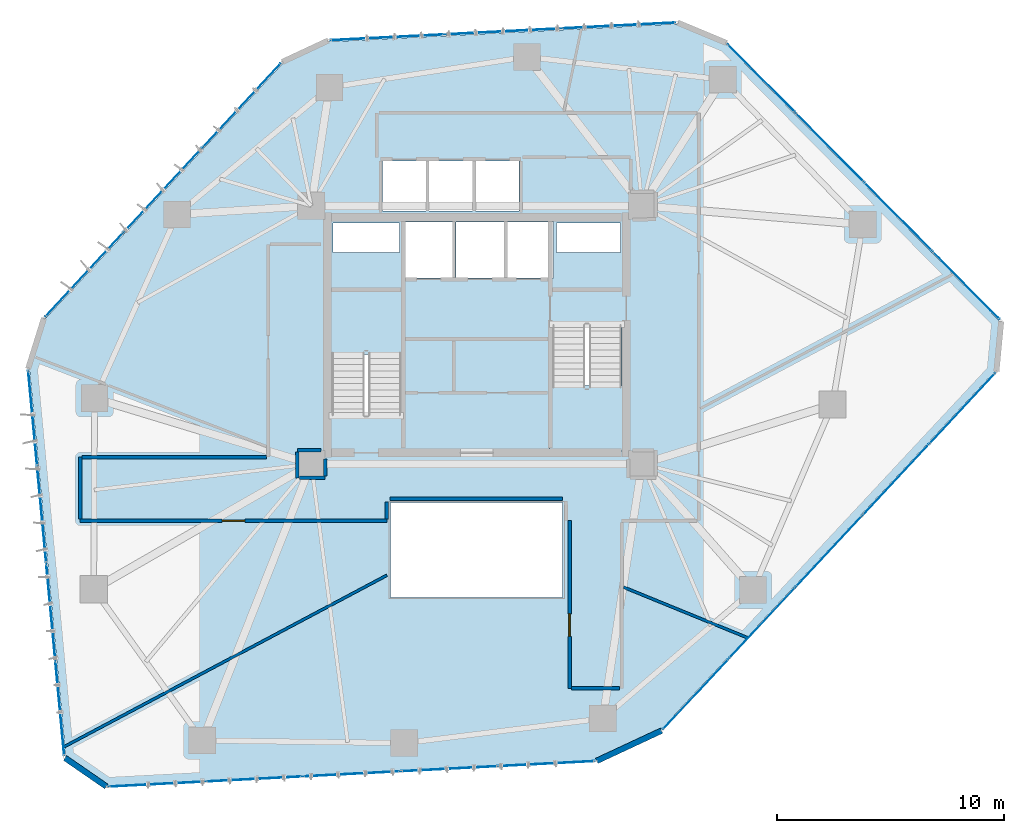
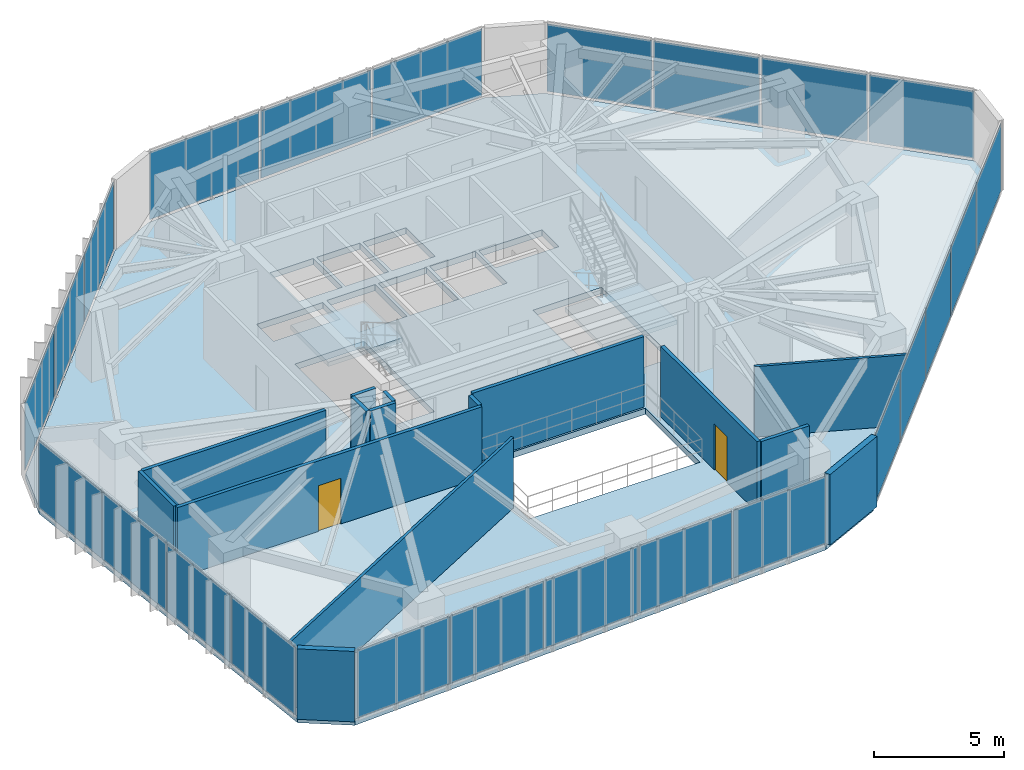
# One storey, part 18 of 23: 24 plates, 15 walls, 3 slabs, 2 doors, 2 openings, 8 elements without a shape of their own.
"""IFC4 building model written with IfcOpenShell, lengths in metres."""

from ifc_helpers import new_model, si_unit, direction, frame, frame_2d, origin, origin_2d, place, context, subcontext, project, spatial, polyline, rectangle, outline, extrude, source, transform, mapped, material, layer, layer_set, type_object, type_shapes, element, fill, aggregate, save


model = new_model("IFC4")

# Units and contexts
model_context = context("Model", 3, precision=1e-05, world=origin(), true_north=direction((0.0, 1.0)))
body_context = subcontext(model_context, "Body", "Model", "MODEL_VIEW")
ifc_project = project(units=[si_unit("LENGTHUNIT", "METRE"), si_unit("AREAUNIT", "SQUARE_METRE"), si_unit("VOLUMEUNIT", "CUBIC_METRE"), si_unit("PLANEANGLEUNIT", "RADIAN"), si_unit("MASSUNIT", "GRAM", prefix="KILO")], contexts=[model_context])

# Site, building, storey
site_placement = place(None, origin())
site = spatial("IfcSite", under=ifc_project, at=site_placement, CompositionType="ELEMENT")
building_placement = place(site_placement, origin())
building = spatial("IfcBuilding", under=site, at=building_placement, Name="Talar Marvaseh", CompositionType="ELEMENT")
storey_placement = place(building_placement, frame((0.0, 0.0, 100.199951171875)))
storey = spatial("IfcBuildingStorey", under=building, at=storey_placement, Name="L25", CompositionType="ELEMENT", Elevation=100.199951171875)

# Stair, slab
ifc_material_1 = material(Name="Concrete C40/50", Category="concrete")
stair_type = type_object("IfcStairType", Name="Reinforced Concrete Half-Turn Exit Stair Type B", PredefinedType="HALF_TURN_STAIR", material=ifc_material_1)
stair_1_placement = place(storey_placement, origin())
stair_1 = element("IfcStair", 1, at=stair_1_placement, inside=storey, type_object=stair_type, Name="L25 Tower West Core Exit Stair", PredefinedType="HALF_TURN_STAIR")
ifc_layer_1 = layer(ifc_material_1, 0.199951171875)
ifc_layer_set_1 = layer_set([ifc_layer_1], Name="Concrete C40/50")
slab_type_1 = type_object("IfcSlabType", Name="Reinforced Concrete Stair Half-Landing Slab 200", PredefinedType="LANDING", material=ifc_layer_set_1)
slab_1_placement = place(storey_placement, frame((0.0, 0.0, 1.60009765625)))
slab_1 = element("IfcSlab", 2, at=slab_1_placement, type_object=slab_type_1, Name="ST-1 landing 1", PredefinedType="LANDING", context=body_context, shape_type="SweptSolid", body=[
    extrude(outline(polyline([(22.780029296875, 30.330078125), (22.780029296875, 33.219970703125), (19.47998046875, 33.219970703125), (19.47998046875, 30.330078125), (22.780029296875, 30.330078125)])), origin(), (0.0, 0.0, 1.0), 0.199951171875),
])
aggregate(stair_1, [slab_1])

stair_2_placement = place(storey_placement, origin())
stair_2 = element("IfcStair", 3, at=stair_2_placement, inside=storey, type_object=stair_type, Name="L25 Tower East Core Exit Stair", PredefinedType="HALF_TURN_STAIR")
slab_2_placement = place(storey_placement, frame((0.0, 0.0, 1.60009765625)))
slab_2 = element("IfcSlab", 4, at=slab_2_placement, type_object=slab_type_1, Name="ST-2 landing 1", PredefinedType="LANDING", context=body_context, shape_type="SweptSolid", body=[
    extrude(outline(polyline([(29.219970703125, 28.969970703125), (29.219970703125, 26.080078125), (32.52001953125, 26.080078125), (32.52001953125, 28.969970703125), (29.219970703125, 28.969970703125)])), origin(), (0.0, 0.0, 1.0), 0.199951171875),
])
aggregate(stair_2, [slab_2])

# Slab
ifc_layer_2 = layer(ifc_material_1, 0.2900390625)
ifc_layer_set_2 = layer_set([ifc_layer_2], Name="Concrete C40/50")
slab_type_2 = type_object("IfcSlabType", Name="Structural Suspended Floor Slab 290", PredefinedType="FLOOR", material=ifc_layer_set_2)
slab_3_placement = place(storey_placement, frame((0.0, 0.0, -0.2900390625)))
element("IfcSlab", 5, at=slab_3_placement, inside=storey, type_object=slab_type_2, Name="L25 Tower Floor Slab", PredefinedType="FLOOR", context=body_context, shape_type="SweptSolid", body=[
    extrude(outline(polyline([(9.689453125, 11.31494140625), (7.864501953125, 12.57275390625), (6.2626953125, 29.689697265625), (6.961669921875, 31.923583984375), (17.4443359375, 43.191650390625), (19.47900390625, 44.140380859375), (34.84912109375, 44.927734375), (37.009521484375, 44.027099609375), (49.09228515625, 31.797607421875), (48.882568359375, 29.591064453125), (34.136962890625, 13.783203125), (31.27734375, 12.44970703125), (9.689453125, 11.31494140625)]), holes=[polyline([(22.659912109375, 27.64990234375), (22.659912109375, 33.10009765625), (19.60009765625, 33.10009765625), (19.60009765625, 27.64990234375), (22.659912109375, 27.64990234375)]), polyline([(29.340087890625, 31.64990234375), (29.340087890625, 26.199951171875), (32.39990234375, 26.199951171875), (32.39990234375, 31.64990234375), (29.340087890625, 31.64990234375)]), polyline([(22.800048828125, 33.719970703125), (24.93994140625, 33.719970703125), (24.93994140625, 36.179931640625), (22.800048828125, 36.179931640625), (22.800048828125, 33.719970703125)]), polyline([(25.080078125, 33.719970703125), (27.219970703125, 33.719970703125), (27.219970703125, 36.179931640625), (25.080078125, 36.179931640625), (25.080078125, 33.719970703125)]), polyline([(27.360107421875, 33.719970703125), (29.39990234375, 33.719970703125), (29.39990234375, 36.179931640625), (27.360107421875, 36.179931640625), (27.360107421875, 33.719970703125)]), polyline([(21.840087890625, 36.659912109375), (23.760009765625, 36.659912109375), (23.760009765625, 38.8798828125), (21.840087890625, 38.8798828125), (21.840087890625, 36.659912109375)]), polyline([(23.89990234375, 36.659912109375), (25.820068359375, 36.659912109375), (25.820068359375, 38.8798828125), (23.89990234375, 38.8798828125), (23.89990234375, 36.659912109375)]), polyline([(25.9599609375, 36.659912109375), (27.8798828125, 36.659912109375), (27.8798828125, 38.8798828125), (25.9599609375, 38.8798828125), (25.9599609375, 36.659912109375)]), polyline([(19.659912109375, 34.840087890625), (22.60009765625, 34.840087890625), (22.60009765625, 36.139892578125), (19.659912109375, 36.139892578125), (19.659912109375, 34.840087890625)]), polyline([(29.52001953125, 34.840087890625), (32.340087890625, 34.840087890625), (32.340087890625, 36.139892578125), (29.52001953125, 36.139892578125), (29.52001953125, 34.840087890625)]), polyline([(22.199951171875, 19.60009765625), (29.800048828125, 19.60009765625), (29.800048828125, 23.800048828125), (22.199951171875, 23.800048828125), (22.199951171875, 19.60009765625)])]), origin(), (0.0, 0.0, 1.0), 0.2900390625),
])

# Curtain wall, plates
ifc_material_2 = material(Name="Architectural Aluminium", Category="aluminium")
ifc_layer_3 = layer(ifc_material_2, 0.199951171875)
ifc_layer_set_3 = layer_set([ifc_layer_3], Name="Architectural Aluminium")
curtain_wall_type = type_object("IfcCurtainWallType", Name="Unitised Acoustic Library Curtain Wall Z2", PredefinedType="NOTDEFINED", material=ifc_layer_set_3)
curtain_wall_1_placement = place(storey_placement, origin())
curtain_wall_1 = element("IfcCurtainWall", 6, at=curtain_wall_1_placement, inside=storey, type_object=curtain_wall_type, Name="L25 Unitised Acoustic Library Curtain Wall Z2", PredefinedType="NOTDEFINED")
ifc_material_3 = material(Name="Laminated Low-E Solar Glass", Category="glass")
ifc_layer_4 = layer(ifc_material_3, 0.028076171875)
ifc_layer_set_4 = layer_set([ifc_layer_4], Name="Laminated Low-E Solar Glass")
plate_type = type_object("IfcPlateType", Name="Double-Glazed Low-E Vision Curtain Panel 28", PredefinedType="CURTAIN_PANEL", material=ifc_layer_set_4)
shared_shape_1 = source(origin(), body_context, "Body", "SweptSolid", [
    extrude(rectangle(XDim=4.185302734375, YDim=0.028076171875, at=origin_2d()), origin(), (0.0, 0.0, 1.0), 3.159912109375),
])
plate_1_placement = place(storey_placement, frame((7.602783203125, 14.7255859375, 0.0751953125), z_axis=(0.0, 0.0, 1.0), x_axis=(-0.093173489885, 0.995649888657, 0.0)))
plate_1 = element("IfcPlate", 7, at=plate_1_placement, type_object=plate_type, Name="CW-Z2 panel 1.1", PredefinedType="CURTAIN_PANEL", context=body_context, shape_type="MappedRepresentation", body=[
    mapped(shared_shape_1, transform((0.0, 0.0, 0.0), x_axis=(1.0, 0.0, 0.0), y_axis=(0.0, 1.0, 0.0), z_axis=(0.0, 0.0, 1.0), scale=1.0)),
])
plate_2_placement = place(storey_placement, frame((6.40478515625, 27.525634765625, 0.0751953125), z_axis=(0.0, 0.0, 1.0), x_axis=(-0.093173489885, 0.995649888657, 0.0)))
plate_2 = element("IfcPlate", 8, at=plate_2_placement, type_object=plate_type, Name="CW-Z2 panel 4.1", PredefinedType="CURTAIN_PANEL", context=body_context, shape_type="MappedRepresentation", body=[
    mapped(shared_shape_1, transform((0.0, 0.0, 0.0), x_axis=(1.0, 0.0, 0.0), y_axis=(0.0, 1.0, 0.0), z_axis=(0.0, 0.0, 1.0), scale=1.0)),
])

curtain_wall_2_placement = place(storey_placement, origin())
curtain_wall_2 = element("IfcCurtainWall", 9, at=curtain_wall_2_placement, inside=storey, type_object=curtain_wall_type, Name="L25 Unitised Acoustic Library Curtain Wall Z2", PredefinedType="NOTDEFINED")
plate_3_placement = place(storey_placement, frame((38.57568359375, 42.52734375, 0.0751953125), z_axis=(0.0, 0.0, 1.0), x_axis=(0.702821429517, -0.711366317879, 0.0)))
plate_3 = element("IfcPlate", 10, at=plate_3_placement, type_object=plate_type, Name="CW-Z2 panel 1.1", PredefinedType="CURTAIN_PANEL", context=body_context, shape_type="MappedRepresentation", body=[
    mapped(shared_shape_1, transform((0.0, 0.0, 0.0), x_axis=(1.0, 0.0, 0.0), y_axis=(0.0, 1.0, 0.0), z_axis=(0.0, 0.0, 1.0), scale=1.0)),
])
plate_4_placement = place(storey_placement, frame((47.611328125, 33.3818359375, 0.0751953125), z_axis=(0.0, 0.0, 1.0), x_axis=(0.702821429517, -0.711366317879, 0.0)))
plate_4 = element("IfcPlate", 11, at=plate_4_placement, type_object=plate_type, Name="CW-Z2 panel 4.1", PredefinedType="CURTAIN_PANEL", context=body_context, shape_type="MappedRepresentation", body=[
    mapped(shared_shape_1, transform((0.0, 0.0, 0.0), x_axis=(1.0, 0.0, 0.0), y_axis=(0.0, 1.0, 0.0), z_axis=(0.0, 0.0, 1.0), scale=1.0)),
])

# Plate
shared_shape_2 = source(origin(), body_context, "Body", "SweptSolid", [
    extrude(rectangle(XDim=4.222900390625, YDim=0.028076171875, at=origin_2d()), origin(), (0.0, 0.0, 1.0), 3.159912109375),
])
plate_5_placement = place(storey_placement, frame((7.2041015625, 18.986083984375, 0.0751953125), z_axis=(0.0, 0.0, 1.0), x_axis=(-0.093173489885, 0.995649888657, 0.0)))
plate_5 = element("IfcPlate", 12, at=plate_5_placement, type_object=plate_type, Name="CW-Z2 panel 2.1", PredefinedType="CURTAIN_PANEL", context=body_context, shape_type="MappedRepresentation", body=[
    mapped(shared_shape_2, transform((0.0, 0.0, 0.0), x_axis=(1.0, 0.0, 0.0), y_axis=(0.0, 1.0, 0.0), z_axis=(0.0, 0.0, 1.0), scale=1.0)),
])

plate_6_placement = place(storey_placement, frame((6.803466796875, 23.26513671875, 0.0751953125), z_axis=(0.0, 0.0, 1.0), x_axis=(-0.093173489885, 0.995649888657, 0.0)))
plate_6 = element("IfcPlate", 13, at=plate_6_placement, type_object=plate_type, Name="CW-Z2 panel 3.1", PredefinedType="CURTAIN_PANEL", context=body_context, shape_type="MappedRepresentation", body=[
    mapped(shared_shape_2, transform((0.0, 0.0, 0.0), x_axis=(1.0, 0.0, 0.0), y_axis=(0.0, 1.0, 0.0), z_axis=(0.0, 0.0, 1.0), scale=1.0)),
])

aggregate(curtain_wall_1, [plate_1, plate_5, plate_6, plate_2])

plate_7_placement = place(storey_placement, frame((41.583251953125, 39.483154296875, 0.0751953125), z_axis=(0.0, 0.0, 1.0), x_axis=(0.702821429517, -0.711366317879, 0.0)))
plate_7 = element("IfcPlate", 14, at=plate_7_placement, type_object=plate_type, Name="CW-Z2 panel 2.1", PredefinedType="CURTAIN_PANEL", context=body_context, shape_type="MappedRepresentation", body=[
    mapped(shared_shape_2, transform((0.0, 0.0, 0.0), x_axis=(1.0, 0.0, 0.0), y_axis=(0.0, 1.0, 0.0), z_axis=(0.0, 0.0, 1.0), scale=1.0)),
])

plate_8_placement = place(storey_placement, frame((44.60400390625, 36.42578125, 0.0751953125), z_axis=(0.0, 0.0, 1.0), x_axis=(0.702821429517, -0.711366317879, 0.0)))
plate_8 = element("IfcPlate", 15, at=plate_8_placement, type_object=plate_type, Name="CW-Z2 panel 3.1", PredefinedType="CURTAIN_PANEL", context=body_context, shape_type="MappedRepresentation", body=[
    mapped(shared_shape_2, transform((0.0, 0.0, 0.0), x_axis=(1.0, 0.0, 0.0), y_axis=(0.0, 1.0, 0.0), z_axis=(0.0, 0.0, 1.0), scale=1.0)),
])

aggregate(curtain_wall_2, [plate_3, plate_7, plate_8, plate_4])

# Curtain wall, plates
curtain_wall_3_placement = place(storey_placement, origin())
curtain_wall_3 = element("IfcCurtainWall", 16, at=curtain_wall_3_placement, inside=storey, type_object=curtain_wall_type, Name="L25 Unitised Acoustic Library Curtain Wall Z2", PredefinedType="NOTDEFINED")
shared_shape_3 = source(origin(), body_context, "Body", "SweptSolid", [
    extrude(rectangle(XDim=5.017578125, YDim=0.028076171875, at=origin_2d()), origin(), (0.0, 0.0, 1.0), 3.159912109375),
])
plate_9_placement = place(storey_placement, frame((8.677490234375, 33.856201171875, 0.0751953125), z_axis=(0.0, 0.0, 1.0), x_axis=(0.681133186247, 0.732159533567, 0.0)))
plate_9 = element("IfcPlate", 17, at=plate_9_placement, type_object=plate_type, Name="CW-Z2 panel 1.1", PredefinedType="CURTAIN_PANEL", context=body_context, shape_type="MappedRepresentation", body=[
    mapped(shared_shape_3, transform((0.0, 0.0, 0.0), x_axis=(1.0, 0.0, 0.0), y_axis=(0.0, 1.0, 0.0), z_axis=(0.0, 0.0, 1.0), scale=1.0)),
])
plate_10_placement = place(storey_placement, frame((15.640625, 41.3408203125, 0.0751953125), z_axis=(0.0, 0.0, 1.0), x_axis=(0.681133186247, 0.732159533567, 0.0)))
plate_10 = element("IfcPlate", 18, at=plate_10_placement, type_object=plate_type, Name="CW-Z2 panel 3.1", PredefinedType="CURTAIN_PANEL", context=body_context, shape_type="MappedRepresentation", body=[
    mapped(shared_shape_3, transform((0.0, 0.0, 0.0), x_axis=(1.0, 0.0, 0.0), y_axis=(0.0, 1.0, 0.0), z_axis=(0.0, 0.0, 1.0), scale=1.0)),
])

curtain_wall_4_placement = place(storey_placement, origin())
curtain_wall_4 = element("IfcCurtainWall", 19, at=curtain_wall_4_placement, inside=storey, type_object=curtain_wall_type, Name="L25 Unitised Acoustic Library Curtain Wall Z2", PredefinedType="NOTDEFINED")
plate_11_placement = place(storey_placement, frame((22.056396484375, 44.33251953125, 0.0751953125), z_axis=(0.0, 0.0, 1.0), x_axis=(0.998690669852, 0.051156093968, 0.0)))
plate_11 = element("IfcPlate", 20, at=plate_11_placement, type_object=plate_type, Name="CW-Z2 panel 1.1", PredefinedType="CURTAIN_PANEL", context=body_context, shape_type="MappedRepresentation", body=[
    mapped(shared_shape_3, transform((0.0, 0.0, 0.0), x_axis=(1.0, 0.0, 0.0), y_axis=(0.0, 1.0, 0.0), z_axis=(0.0, 0.0, 1.0), scale=1.0)),
])
plate_12_placement = place(storey_placement, frame((32.265625, 44.85546875, 0.0751953125), z_axis=(0.0, 0.0, 1.0), x_axis=(0.998690669852, 0.051156093968, 0.0)))
plate_12 = element("IfcPlate", 21, at=plate_12_placement, type_object=plate_type, Name="CW-Z2 panel 3.1", PredefinedType="CURTAIN_PANEL", context=body_context, shape_type="MappedRepresentation", body=[
    mapped(shared_shape_3, transform((0.0, 0.0, 0.0), x_axis=(1.0, 0.0, 0.0), y_axis=(0.0, 1.0, 0.0), z_axis=(0.0, 0.0, 1.0), scale=1.0)),
])

# Plate
shared_shape_4 = source(origin(), body_context, "Body", "SweptSolid", [
    extrude(rectangle(XDim=5.054931640625, YDim=0.028076171875, at=origin_2d()), origin(), (0.0, 0.0, 1.0), 3.159912109375),
])
plate_13_placement = place(storey_placement, frame((12.158935546875, 37.598388671875, 0.0751953125), z_axis=(0.0, 0.0, 1.0), x_axis=(0.681133186247, 0.732159533567, 0.0)))
plate_13 = element("IfcPlate", 22, at=plate_13_placement, type_object=plate_type, Name="CW-Z2 panel 2.1", PredefinedType="CURTAIN_PANEL", context=body_context, shape_type="MappedRepresentation", body=[
    mapped(shared_shape_4, transform((0.0, 0.0, 0.0), x_axis=(1.0, 0.0, 0.0), y_axis=(0.0, 1.0, 0.0), z_axis=(0.0, 0.0, 1.0), scale=1.0)),
])

aggregate(curtain_wall_3, [plate_9, plate_13, plate_10])

plate_14_placement = place(storey_placement, frame((27.160888671875, 44.593994140625, 0.0751953125), z_axis=(0.0, 0.0, 1.0), x_axis=(0.998690669852, 0.051156093968, 0.0)))
plate_14 = element("IfcPlate", 23, at=plate_14_placement, type_object=plate_type, Name="CW-Z2 panel 2.1", PredefinedType="CURTAIN_PANEL", context=body_context, shape_type="MappedRepresentation", body=[
    mapped(shared_shape_4, transform((0.0, 0.0, 0.0), x_axis=(1.0, 0.0, 0.0), y_axis=(0.0, 1.0, 0.0), z_axis=(0.0, 0.0, 1.0), scale=1.0)),
])

aggregate(curtain_wall_4, [plate_11, plate_14, plate_12])

# Curtain wall, plates
curtain_wall_5_placement = place(storey_placement, origin())
curtain_wall_5 = element("IfcCurtainWall", 24, at=curtain_wall_5_placement, inside=storey, type_object=curtain_wall_type, Name="L25 Unitised Acoustic Library Curtain Wall Z2", PredefinedType="NOTDEFINED")
shared_shape_5 = source(origin(), body_context, "Body", "SweptSolid", [
    extrude(rectangle(XDim=4.2109375, YDim=0.028076171875, at=origin_2d()), origin(), (0.0, 0.0, 1.0), 3.159912109375),
])
plate_15_placement = place(storey_placement, frame((47.439208984375, 27.95556640625, 0.0751953125), z_axis=(0.0, 0.0, 1.0), x_axis=(-0.682109564805, -0.731249985711, 0.0)))
plate_15 = element("IfcPlate", 25, at=plate_15_placement, type_object=plate_type, Name="CW-Z2 panel 1.1", PredefinedType="CURTAIN_PANEL", context=body_context, shape_type="MappedRepresentation", body=[
    mapped(shared_shape_5, transform((0.0, 0.0, 0.0), x_axis=(1.0, 0.0, 0.0), y_axis=(0.0, 1.0, 0.0), z_axis=(0.0, 0.0, 1.0), scale=1.0)),
])
plate_16_placement = place(storey_placement, frame((35.668212890625, 15.336669921875, 0.0751953125), z_axis=(0.0, 0.0, 1.0), x_axis=(-0.682109564805, -0.731249985711, 0.0)))
plate_16 = element("IfcPlate", 26, at=plate_16_placement, type_object=plate_type, Name="CW-Z2 panel 5.1", PredefinedType="CURTAIN_PANEL", context=body_context, shape_type="MappedRepresentation", body=[
    mapped(shared_shape_5, transform((0.0, 0.0, 0.0), x_axis=(1.0, 0.0, 0.0), y_axis=(0.0, 1.0, 0.0), z_axis=(0.0, 0.0, 1.0), scale=1.0)),
])

curtain_wall_6_placement = place(storey_placement, origin())
curtain_wall_6 = element("IfcCurtainWall", 27, at=curtain_wall_6_placement, inside=storey, type_object=curtain_wall_type, Name="L25 Unitised Acoustic Library Curtain Wall Z2", PredefinedType="NOTDEFINED")
plate_17_placement = place(storey_placement, frame((29.10302734375, 12.275146484375, 0.0751953125), z_axis=(0.0, 0.0, 1.0), x_axis=(-0.998621481587, -0.052489394294, 0.0)))
plate_17 = element("IfcPlate", 28, at=plate_17_placement, type_object=plate_type, Name="CW-Z2 panel 1.1", PredefinedType="CURTAIN_PANEL", context=body_context, shape_type="MappedRepresentation", body=[
    mapped(shared_shape_5, transform((0.0, 0.0, 0.0), x_axis=(1.0, 0.0, 0.0), y_axis=(0.0, 1.0, 0.0), z_axis=(0.0, 0.0, 1.0), scale=1.0)),
])
plate_18_placement = place(storey_placement, frame((11.8701171875, 11.369384765625, 0.0751953125), z_axis=(0.0, 0.0, 1.0), x_axis=(-0.998621481587, -0.052489394294, 0.0)))
plate_18 = element("IfcPlate", 29, at=plate_18_placement, type_object=plate_type, Name="CW-Z2 panel 5.1", PredefinedType="CURTAIN_PANEL", context=body_context, shape_type="MappedRepresentation", body=[
    mapped(shared_shape_5, transform((0.0, 0.0, 0.0), x_axis=(1.0, 0.0, 0.0), y_axis=(0.0, 1.0, 0.0), z_axis=(0.0, 0.0, 1.0), scale=1.0)),
])

# Plate
shared_shape_6 = source(origin(), body_context, "Body", "SweptSolid", [
    extrude(rectangle(XDim=4.24853515625, YDim=0.028076171875, at=origin_2d()), origin(), (0.0, 0.0, 1.0), 3.159912109375),
])
type_shapes(plate_type, [shared_shape_1, shared_shape_2, shared_shape_3, shared_shape_4, shared_shape_5, shared_shape_6])
plate_19_placement = place(storey_placement, frame((44.5029296875, 24.8076171875, 0.0751953125), z_axis=(0.0, 0.0, 1.0), x_axis=(-0.682109564805, -0.731249985711, 0.0)))
plate_19 = element("IfcPlate", 30, at=plate_19_placement, type_object=plate_type, Name="CW-Z2 panel 2.1", PredefinedType="CURTAIN_PANEL", context=body_context, shape_type="MappedRepresentation", body=[
    mapped(shared_shape_6, transform((0.0, 0.0, 0.0), x_axis=(1.0, 0.0, 0.0), y_axis=(0.0, 1.0, 0.0), z_axis=(0.0, 0.0, 1.0), scale=1.0)),
])

plate_20_placement = place(storey_placement, frame((41.5537109375, 21.646240234375, 0.0751953125), z_axis=(0.0, 0.0, 1.0), x_axis=(-0.682109564805, -0.731249985711, 0.0)))
plate_20 = element("IfcPlate", 31, at=plate_20_placement, type_object=plate_type, Name="CW-Z2 panel 3.1", PredefinedType="CURTAIN_PANEL", context=body_context, shape_type="MappedRepresentation", body=[
    mapped(shared_shape_6, transform((0.0, 0.0, 0.0), x_axis=(1.0, 0.0, 0.0), y_axis=(0.0, 1.0, 0.0), z_axis=(0.0, 0.0, 1.0), scale=1.0)),
])

plate_21_placement = place(storey_placement, frame((38.6044921875, 18.484619140625, 0.0751953125), z_axis=(0.0, 0.0, 1.0), x_axis=(-0.682109564805, -0.731249985711, 0.0)))
plate_21 = element("IfcPlate", 32, at=plate_21_placement, type_object=plate_type, Name="CW-Z2 panel 4.1", PredefinedType="CURTAIN_PANEL", context=body_context, shape_type="MappedRepresentation", body=[
    mapped(shared_shape_6, transform((0.0, 0.0, 0.0), x_axis=(1.0, 0.0, 0.0), y_axis=(0.0, 1.0, 0.0), z_axis=(0.0, 0.0, 1.0), scale=1.0)),
])

aggregate(curtain_wall_5, [plate_15, plate_19, plate_20, plate_21, plate_16])

plate_22_placement = place(storey_placement, frame((24.80419921875, 12.04931640625, 0.0751953125), z_axis=(0.0, 0.0, 1.0), x_axis=(-0.998621481587, -0.052489394294, 0.0)))
plate_22 = element("IfcPlate", 33, at=plate_22_placement, type_object=plate_type, Name="CW-Z2 panel 2.1", PredefinedType="CURTAIN_PANEL", context=body_context, shape_type="MappedRepresentation", body=[
    mapped(shared_shape_6, transform((0.0, 0.0, 0.0), x_axis=(1.0, 0.0, 0.0), y_axis=(0.0, 1.0, 0.0), z_axis=(0.0, 0.0, 1.0), scale=1.0)),
])

plate_23_placement = place(storey_placement, frame((20.486572265625, 11.822265625, 0.0751953125), z_axis=(0.0, 0.0, 1.0), x_axis=(-0.998621481587, -0.052489394294, 0.0)))
plate_23 = element("IfcPlate", 34, at=plate_23_placement, type_object=plate_type, Name="CW-Z2 panel 3.1", PredefinedType="CURTAIN_PANEL", context=body_context, shape_type="MappedRepresentation", body=[
    mapped(shared_shape_6, transform((0.0, 0.0, 0.0), x_axis=(1.0, 0.0, 0.0), y_axis=(0.0, 1.0, 0.0), z_axis=(0.0, 0.0, 1.0), scale=1.0)),
])

plate_24_placement = place(storey_placement, frame((16.1689453125, 11.595458984375, 0.0751953125), z_axis=(0.0, 0.0, 1.0), x_axis=(-0.998621481587, -0.052489394294, 0.0)))
plate_24 = element("IfcPlate", 35, at=plate_24_placement, type_object=plate_type, Name="CW-Z2 panel 4.1", PredefinedType="CURTAIN_PANEL", context=body_context, shape_type="MappedRepresentation", body=[
    mapped(shared_shape_6, transform((0.0, 0.0, 0.0), x_axis=(1.0, 0.0, 0.0), y_axis=(0.0, 1.0, 0.0), z_axis=(0.0, 0.0, 1.0), scale=1.0)),
])

aggregate(curtain_wall_6, [plate_17, plate_22, plate_23, plate_24, plate_18])

# Walls
ifc_material_4 = material(Name="Precast concrete C45/55", Category="concrete")
ifc_layer_5 = layer(ifc_material_4, 0.2548828125)
ifc_layer_set_5 = layer_set([ifc_layer_5], Name="Precast concrete C45/55")
wall_type_1 = type_object("IfcWallType", Name="Chamfered Hexagonal Corner Pier Wall Z2 255", PredefinedType="SOLIDWALL", material=ifc_layer_set_5)
wall_1_placement = place(storey_placement, frame((9.655517578125, 11.265380859375, 0.0), z_axis=(0.0, 0.0, 1.0), x_axis=(-0.823360076542, 0.567519325096, 0.0)))
element("IfcWall", 36, at=wall_1_placement, inside=storey, type_object=wall_type_1, Name="L25 Chamfered Corner Limestone Pier 1", PredefinedType="SOLIDWALL", context=body_context, shape_type="SweptSolid", body=[
    extrude(rectangle(XDim=2.216796875, YDim=0.2548828125, at=frame_2d((1.1083984375, 0.0))), origin(), (0.0, 0.0, 1.0), 3.31005859375),
])
wall_2_placement = place(storey_placement, frame((34.162353515625, 13.728759765625, 0.0), z_axis=(0.0, 0.0, 1.0), x_axis=(-0.906303685276, -0.422627057883, 0.0)))
element("IfcWall", 37, at=wall_2_placement, inside=storey, type_object=wall_type_1, Name="L25 Chamfered Corner Limestone Pier 6", PredefinedType="SOLIDWALL", context=body_context, shape_type="SweptSolid", body=[
    extrude(rectangle(XDim=3.1552734375, YDim=0.2548828125, at=frame_2d((1.57763671875, 0.0))), origin(), (0.0, 0.0, 1.0), 3.31005859375),
])

# Wall, opening, door
ifc_material_5 = material(Name="Gypsum Board Partition Assembly")
ifc_layer_6 = layer(ifc_material_5, 0.155029296875)
ifc_layer_set_6 = layer_set([ifc_layer_6], Name="Gypsum Board Partition Assembly")
wall_type_2 = type_object("IfcWallType", Name="Corridor Fire-Rated Acoustic Partition 155", PredefinedType="PARTITIONING", material=ifc_layer_set_6)
wall_3_placement = place(storey_placement, frame((22.0400390625, 23.0, 0.0), z_axis=(0.0, 0.0, 1.0), x_axis=(-1.0, 0.0, 0.0)))
wall_3 = element("IfcWall", 38, at=wall_3_placement, inside=storey, type_object=wall_type_2, Name="L25 Interior Partition Wall", PredefinedType="PARTITIONING", context=body_context, shape_type="SweptSolid", body=[
    extrude(rectangle(XDim=13.5400390625, YDim=0.155029296875, at=frame_2d((6.77001953125, 0.0))), origin(), (0.0, 0.0, 1.0), 3.31005859375),
])
opening_1_placement = place(wall_3_placement, frame((6.27001953125, 0.0, 0.0)))
opening_1 = element("IfcOpeningElement", 39, at=opening_1_placement, cuts=wall_3, Name="Opening DR-RM100", PredefinedType="OPENING", context=body_context, shape_type="SweptSolid", body=[
    extrude(rectangle(XDim=1.0, YDim=2.14990234375, at=frame_2d((0.5, 1.074951171875))), frame((0.0, 0.08740234375, 0.0), z_axis=(0.0, -1.0, 0.0), x_axis=(1.0, 0.0, 0.0)), (0.0, 0.0, 1.0), 0.175048828125),
])
ifc_material_6 = material(Name="Acoustic Engineered Oak Timber", Category="wood")
door_type = type_object("IfcDoorType", Name="Corridor Fire-Rated Gallery Door 1000x2150", OperationType="NOTDEFINED", PredefinedType="DOOR", material=ifc_material_6)
shared_shape_7 = source(origin(), body_context, "Body", "SweptSolid", [
    extrude(rectangle(XDim=1.0, YDim=2.14990234375, at=frame_2d((0.5, 1.074951171875))), frame((0.0, 0.02490234375, 0.0), z_axis=(0.0, -1.0, 0.0), x_axis=(1.0, 0.0, 0.0)), (0.0, 0.0, 1.0), 0.050048828125),
])
type_shapes(door_type, [shared_shape_7])
door_1_placement = place(opening_1_placement, origin())
door_1 = element("IfcDoor", 40, at=door_1_placement, inside=storey, type_object=door_type, Name="L25 Curatorial Office Door", OperationType="SINGLE_SWING_RIGHT", OverallHeight=2.14990234375, OverallWidth=1.0, PredefinedType="DOOR", context=body_context, shape_type="MappedRepresentation", body=[
    mapped(shared_shape_7, transform((0.0, 0.0, 0.0), x_axis=(1.0, 0.0, 0.0), y_axis=(0.0, 1.0, 0.0), z_axis=(0.0, 0.0, 1.0), scale=1.0)),
])
fill(opening_1, door_1)

wall_4_placement = place(storey_placement, frame((30.10009765625, 15.60009765625, 0.0), z_axis=(0.0, 0.0, 1.0), x_axis=(0.0, 1.0, 0.0)))
wall_4 = element("IfcWall", 41, at=wall_4_placement, inside=storey, type_object=wall_type_2, Name="L25 Interior Partition Wall", PredefinedType="PARTITIONING", context=body_context, shape_type="SweptSolid", body=[
    extrude(rectangle(XDim=7.39990234375, YDim=0.155029296875, at=frame_2d((3.699951171875, 0.0))), origin(), (0.0, 0.0, 1.0), 3.31005859375),
])
opening_2_placement = place(wall_4_placement, frame((2.291259765625, 0.0, 0.0)))
opening_2 = element("IfcOpeningElement", 42, at=opening_2_placement, cuts=wall_4, Name="Opening DR-RM100", PredefinedType="OPENING", context=body_context, shape_type="SweptSolid", body=[
    extrude(rectangle(XDim=1.0, YDim=2.14990234375, at=frame_2d((0.5, 1.074951171875))), frame((0.0, 0.08740234375, 0.0), z_axis=(0.0, -1.0, 0.0), x_axis=(1.0, 0.0, 0.0)), (0.0, 0.0, 1.0), 0.175048828125),
])
door_2_placement = place(opening_2_placement, origin())
door_2 = element("IfcDoor", 43, at=door_2_placement, inside=storey, type_object=door_type, Name="L25 Seminar Room Door", OperationType="SINGLE_SWING_LEFT", OverallHeight=2.14990234375, OverallWidth=1.0, PredefinedType="DOOR", context=body_context, shape_type="MappedRepresentation", body=[
    mapped(shared_shape_7, transform((0.0, 0.0, 0.0), x_axis=(1.0, 0.0, 0.0), y_axis=(0.0, 1.0, 0.0), z_axis=(0.0, 0.0, 1.0), scale=1.0)),
])
fill(opening_2, door_2)

# Walls
wall_5_placement = place(storey_placement, frame((29.800048828125, 23.9599609375, 0.0), z_axis=(0.0, 0.0, 1.0), x_axis=(-0.999999995375, -9.617234e-05, 0.0)))
element("IfcWall", 44, at=wall_5_placement, inside=storey, type_object=wall_type_2, Name="L25 Interior Partition Wall", PredefinedType="PARTITIONING", context=body_context, shape_type="SweptSolid", body=[
    extrude(rectangle(XDim=7.61572265625, YDim=0.155029296875, at=frame_2d((3.807861328125, 0.0))), origin(), (0.0, 0.0, 1.0), 3.31005859375),
])
wall_6_placement = place(storey_placement, frame((22.043212890625, 23.831298828125, 0.0), z_axis=(0.0, 0.0, 1.0), x_axis=(-0.003917697652, -0.999992325793, 0.0)))
element("IfcWall", 45, at=wall_6_placement, inside=storey, type_object=wall_type_2, Name="L25 Interior Partition Wall", PredefinedType="PARTITIONING", context=body_context, shape_type="SweptSolid", body=[
    extrude(rectangle(XDim=0.747802734375, YDim=0.155029296875, at=frame_2d((0.3740234375, 0.0))), origin(), (0.0, 0.0, 1.0), 3.31005859375),
])
wall_7_placement = place(storey_placement, frame((8.5, 23.08349609375, 0.0), z_axis=(0.0, 0.0, 1.0), x_axis=(0.0, 1.0, 0.0)))
element("IfcWall", 46, at=wall_7_placement, inside=storey, type_object=wall_type_2, Name="L25 Interior Partition Wall", PredefinedType="PARTITIONING", context=body_context, shape_type="SweptSolid", body=[
    extrude(rectangle(XDim=2.716552734375, YDim=0.155029296875, at=frame_2d((1.3583984375, 0.0))), origin(), (0.0, 0.0, 1.0), 3.31005859375),
])
wall_8_placement = place(storey_placement, frame((8.58349609375, 25.800048828125, 0.0), z_axis=(0.0, 0.0, 1.0), x_axis=(1.0, 0.0, 0.0)))
element("IfcWall", 47, at=wall_8_placement, inside=storey, type_object=wall_type_2, Name="L25 Interior Partition Wall", PredefinedType="PARTITIONING", context=body_context, shape_type="SweptSolid", body=[
    extrude(rectangle(XDim=8.133056640625, YDim=0.155029296875, at=frame_2d((4.06640625, 0.0))), origin(), (0.0, 0.0, 1.0), 3.31005859375),
])
wall_9_placement = place(storey_placement, frame((19.1298828125, 26.114990234375, 0.0), z_axis=(0.0, 0.0, 1.0), x_axis=(-0.999986702653, -0.005156987215, 0.0)))
element("IfcWall", 48, at=wall_9_placement, inside=storey, type_object=wall_type_2, Name="L25 Interior Partition Wall", PredefinedType="PARTITIONING", context=body_context, shape_type="SweptSolid", body=[
    extrude(rectangle(XDim=1.04150390625, YDim=0.155029296875, at=frame_2d((0.520751953125, 0.0))), origin(), (0.0, 0.0, 1.0), 3.31005859375),
])
wall_10_placement = place(storey_placement, frame((18.088623046875, 26.02587890625, 0.0), z_axis=(0.0, 0.0, 1.0), x_axis=(0.002787893948, -0.999996113816, 0.0)))
element("IfcWall", 49, at=wall_10_placement, inside=storey, type_object=wall_type_2, Name="L25 Interior Partition Wall", PredefinedType="PARTITIONING", context=body_context, shape_type="SweptSolid", body=[
    extrude(rectangle(XDim=1.138427734375, YDim=0.155029296875, at=frame_2d((0.5693359375, 0.0))), origin(), (0.0, 0.0, 1.0), 3.31005859375),
])
wall_11_placement = place(storey_placement, frame((18.17529296875, 24.8876953125, 0.0), z_axis=(0.0, 0.0, 1.0), x_axis=(0.999999791525, 0.000645716611, 0.0)))
element("IfcWall", 50, at=wall_11_placement, inside=storey, type_object=wall_type_2, Name="L25 Interior Partition Wall", PredefinedType="PARTITIONING", context=body_context, shape_type="SweptSolid", body=[
    extrude(rectangle(XDim=1.13427734375, YDim=0.155029296875, at=frame_2d((0.567138671875, 0.0))), origin(), (0.0, 0.0, 1.0), 3.31005859375),
])
wall_12_placement = place(storey_placement, frame((19.31005859375, 24.971923828125, 0.0), z_axis=(0.0, 0.0, 1.0), x_axis=(0.006441090216, 0.999979255963, 0.0)))
element("IfcWall", 51, at=wall_12_placement, inside=storey, type_object=wall_type_2, Name="L25 Interior Partition Wall", PredefinedType="PARTITIONING", context=body_context, shape_type="SweptSolid", body=[
    extrude(rectangle(XDim=0.758056640625, YDim=0.155029296875, at=frame_2d((0.37890625, 0.0))), origin(), (0.0, 0.0, 1.0), 3.31005859375),
])
wall_13_placement = place(storey_placement, frame((32.31640625, 15.60009765625, 0.0), z_axis=(0.0, 0.0, 1.0), x_axis=(-1.0, 0.0, 0.0)))
element("IfcWall", 52, at=wall_13_placement, inside=storey, type_object=wall_type_2, Name="L25 Interior Partition Wall", PredefinedType="PARTITIONING", context=body_context, shape_type="SweptSolid", body=[
    extrude(rectangle(XDim=2.1328125, YDim=0.155029296875, at=frame_2d((1.06640625, 0.0))), origin(), (0.0, 0.0, 1.0), 3.31005859375),
])
ifc_layer_7 = layer(ifc_material_5, 0.1201171875)
ifc_layer_set_7 = layer_set([ifc_layer_7], Name="Gypsum Board Partition Assembly")
wall_type_3 = type_object("IfcWallType", Name="Demountable Studio Room Partition 120", PredefinedType="PARTITIONING", material=ifc_layer_set_7)
wall_14_placement = place(storey_placement, frame((22.0400390625, 20.590087890625, 0.0), z_axis=(0.0, 0.0, 1.0), x_axis=(-0.883112977743, -0.469160386799, 0.0)))
element("IfcWall", 53, at=wall_14_placement, inside=storey, type_object=wall_type_3, Name="L25 Interior Partition Wall", PredefinedType="PARTITIONING", context=body_context, shape_type="SweptSolid", body=[
    extrude(rectangle(XDim=16.14111328125, YDim=0.1201171875, at=frame_2d((8.070556640625, 0.0))), origin(), (0.0, 0.0, 1.0), 3.31005859375),
])
wall_15_placement = place(storey_placement, frame((32.4833984375, 20.06591796875, 0.0), z_axis=(0.0, 0.0, 1.0), x_axis=(0.925850295085, -0.377890501456, 0.0)))
element("IfcWall", 54, at=wall_15_placement, inside=storey, type_object=wall_type_3, Name="L25 Interior Partition Wall", PredefinedType="PARTITIONING", context=body_context, shape_type="SweptSolid", body=[
    extrude(rectangle(XDim=5.917236328125, YDim=0.1201171875, at=frame_2d((2.95849609375, 0.0))), origin(), (0.0, 0.0, 1.0), 3.31005859375),
])

save(model, "model.ifc")
